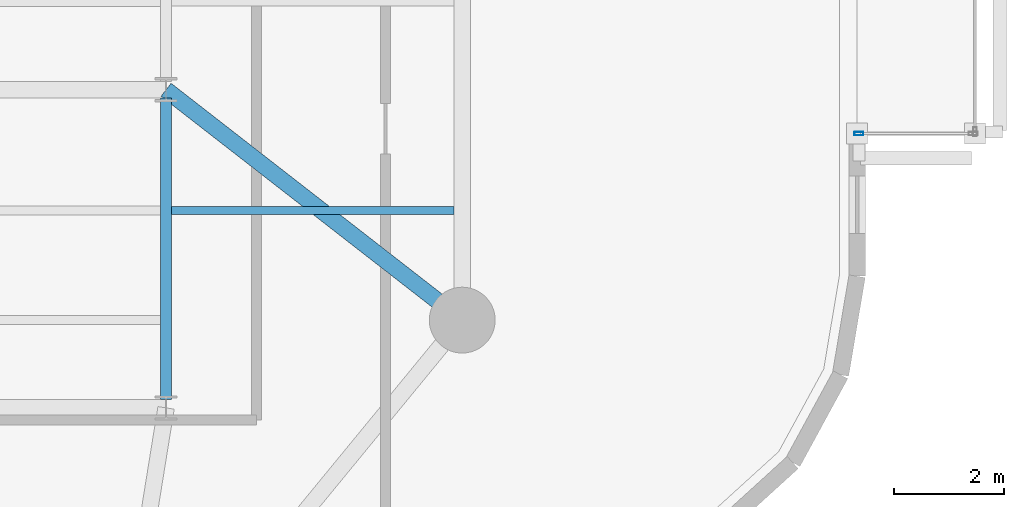
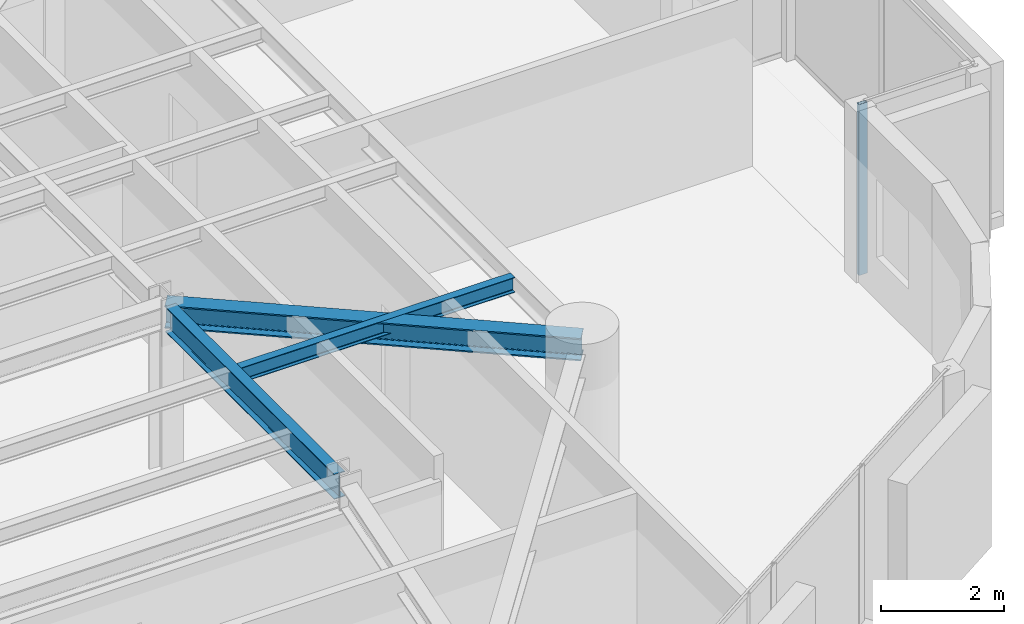
# One storey, part 3 of 16: 3 beams, 1 member, 1 element without a shape of its own.
"""IFC4 building model written with IfcOpenShell, lengths in metres."""

from ifc_helpers import new_model, si_unit, direction, frame, origin, origin_2d, place, context, subcontext, project, spatial, hollow_rectangle, i_section, extrude, material, layer, layer_set, material_profile, profile_set, type_object, element, aggregate, save


model = new_model("IFC4")

# Units and contexts
model_context = context("Model", 3, precision=1e-05, world=origin(), true_north=direction((0.0, 1.0)))
body_context = subcontext(model_context, "Body", "Model", "MODEL_VIEW")
ifc_project = project(units=[si_unit("LENGTHUNIT", "METRE"), si_unit("AREAUNIT", "SQUARE_METRE"), si_unit("VOLUMEUNIT", "CUBIC_METRE"), si_unit("PLANEANGLEUNIT", "RADIAN"), si_unit("MASSUNIT", "GRAM", prefix="KILO")], contexts=[model_context])

# Site, building, storey
site_placement = place(None, origin())
site = spatial("IfcSite", under=ifc_project, at=site_placement, CompositionType="ELEMENT")
building_placement = place(site_placement, origin())
building = spatial("IfcBuilding", under=site, at=building_placement, Name="An Khanh Terracotta Commons", CompositionType="ELEMENT")
storey_placement = place(building_placement, frame((0.0, 0.0, 172.60009765625)))
storey = spatial("IfcBuildingStorey", under=building, at=storey_placement, Name="L45", CompositionType="ELEMENT", Elevation=172.60009765625)

# Beams
ifc_material_1 = material(Name="Steel S355J2", Category="steel")
ifc_material_profile_1 = material_profile(ifc_material_1, i_section(OverallWidth=0.300048828125, OverallDepth=0.449951171875, WebThickness=0.013916015625, FlangeThickness=0.02587890625, FilletRadius=0.027099609375, at=origin_2d()), Name="HEB450")
ifc_profile_set_1 = profile_set([ifc_material_profile_1], Name="Steel S355J2")
beam_type_1 = type_object("IfcBeamType", Name="BM-HEB450", PredefinedType="BEAM", material=ifc_profile_set_1)
beam_1_placement = place(storey_placement, frame((55.800048828125, 16.0, 3.1748046875), z_axis=(-0.789363746927, 0.61392578952, 0.0), x_axis=(-0.61392578952, -0.789363746927, 0.0)))
element("IfcBeam", 1, at=beam_1_placement, inside=storey, type_object=beam_type_1, Name="L45 Mega-Column Tie Girder 3", PredefinedType="BEAM", context=body_context, shape_type="SweptSolid", body=[
    extrude(i_section(OverallWidth=0.300048828125, OverallDepth=0.449951171875, WebThickness=0.013916015625, FlangeThickness=0.02587890625, FilletRadius=0.027099609375, at=origin_2d()), origin(), (0.0, 0.0, 1.0), 6.841064453125),
])
ifc_material_profile_2 = material_profile(ifc_material_1, i_section(OverallWidth=0.14990234375, OverallDepth=0.300048828125, WebThickness=0.007080078125, FlangeThickness=0.0107421875, FilletRadius=0.014892578125, at=origin_2d()), Name="IPE300")
ifc_profile_set_2 = profile_set([ifc_material_profile_2], Name="Steel S355J2")
beam_type_2 = type_object("IfcBeamType", Name="BM-IPE300", PredefinedType="JOIST", material=ifc_profile_set_2)
beam_2_placement = place(storey_placement, frame((50.5, 18.0, 3.25), z_axis=(1.0, 0.0, 0.0), x_axis=(0.0, 1.0, 0.0)))
element("IfcBeam", 2, at=beam_2_placement, inside=storey, type_object=beam_type_2, Name="L45 Riverfront Composite Joist 2", PredefinedType="JOIST", context=body_context, shape_type="SweptSolid", body=[
    extrude(i_section(OverallWidth=0.14990234375, OverallDepth=0.300048828125, WebThickness=0.007080078125, FlangeThickness=0.0107421875, FilletRadius=0.014892578125, at=origin_2d()), origin(), (0.0, 0.0, 1.0), 5.14990234375),
])
ifc_material_profile_3 = material_profile(ifc_material_1, i_section(OverallWidth=0.199951171875, OverallDepth=0.5, WebThickness=0.01025390625, FlangeThickness=0.01611328125, FilletRadius=0.02099609375, at=origin_2d()), Name="IPE500")
ifc_profile_set_3 = profile_set([ifc_material_profile_3], Name="Steel S355J2")
beam_type_3 = type_object("IfcBeamType", Name="BM-IPE500", PredefinedType="BEAM", material=ifc_profile_set_3)
beam_3_placement = place(storey_placement, frame((50.39990234375, 14.550048828125, 3.14990234375), z_axis=(0.0, 1.0, 0.0), x_axis=(-1.0, 0.0, 0.0)))
element("IfcBeam", 3, at=beam_3_placement, inside=storey, type_object=beam_type_3, Name="L45 East Spine Girder 1", PredefinedType="BEAM", context=body_context, shape_type="SweptSolid", body=[
    extrude(i_section(OverallWidth=0.199951171875, OverallDepth=0.5, WebThickness=0.01025390625, FlangeThickness=0.01611328125, FilletRadius=0.02099609375, at=origin_2d()), origin(), (0.0, 0.0, 1.0), 5.5),
])

# Curtain wall, member
ifc_material_2 = material(Name="Anodised Aluminium 6063-T6", Category="aluminium")
ifc_layer = layer(ifc_material_2, 0.239990234375, Name="Anodised Aluminium 6063-T6")
ifc_layer_set = layer_set([ifc_layer], Name="Anodised Aluminium 6063-T6")
curtain_wall_type = type_object("IfcCurtainWallType", Name="CW-SYS-04", PredefinedType="USERDEFINED", material=ifc_layer_set)
curtain_wall_placement = place(storey_placement, origin())
curtain_wall = element("IfcCurtainWall", 4, at=curtain_wall_placement, inside=storey, type_object=curtain_wall_type, Name="L45 CW-04 Unitised Curtain Wall CW-L45-EBOX-2", ObjectType="UNITISED CURTAIN WALL", PredefinedType="USERDEFINED")
ifc_material_profile_4 = material_profile(ifc_material_2, hollow_rectangle(XDim=0.06494140625, YDim=0.1650390625, WallThickness=0.00390625, InnerFilletRadius=0.00390625, OuterFilletRadius=0.008056640625, at=origin_2d()), Name="RHS165x65x4")
ifc_profile_set_4 = profile_set([ifc_material_profile_4], Name="Anodised Aluminium 6063-T6")
member_type = type_object("IfcMemberType", Name="CWM-RHS165x65x4", PredefinedType="MULLION", material=ifc_profile_set_4)
member_placement = place(storey_placement, frame((63.032470703125, 19.39990234375, 0.0), z_axis=(0.0, 0.0, 1.0), x_axis=(0.0, 1.0, 0.0)))
member = element("IfcMember", 5, at=member_placement, type_object=member_type, Name="CW-04 mullion 1", PredefinedType="MULLION", context=body_context, shape_type="SweptSolid", body=[
    extrude(hollow_rectangle(XDim=0.06494140625, YDim=0.1650390625, WallThickness=0.00390625, InnerFilletRadius=0.00390625, OuterFilletRadius=0.008056640625, at=origin_2d()), origin(), (0.0, 0.0, 1.0), 3.39990234375),
])
aggregate(curtain_wall, [member])

save(model, "model.ifc")
